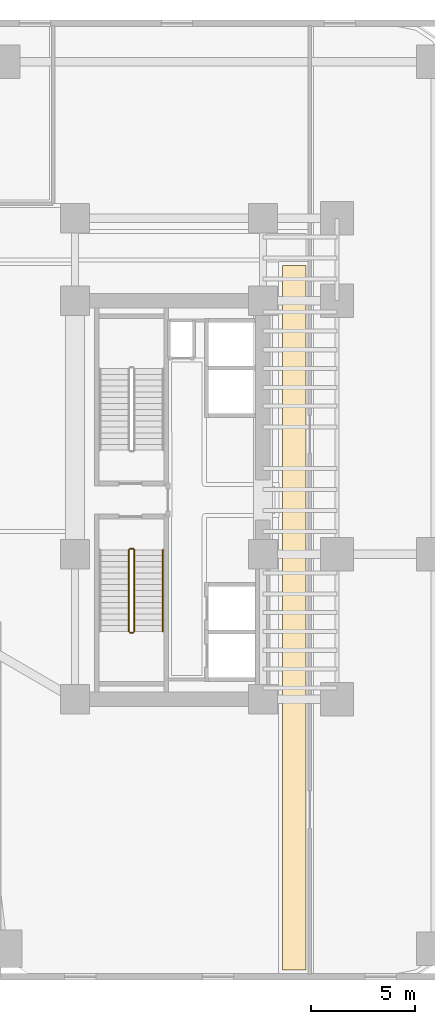
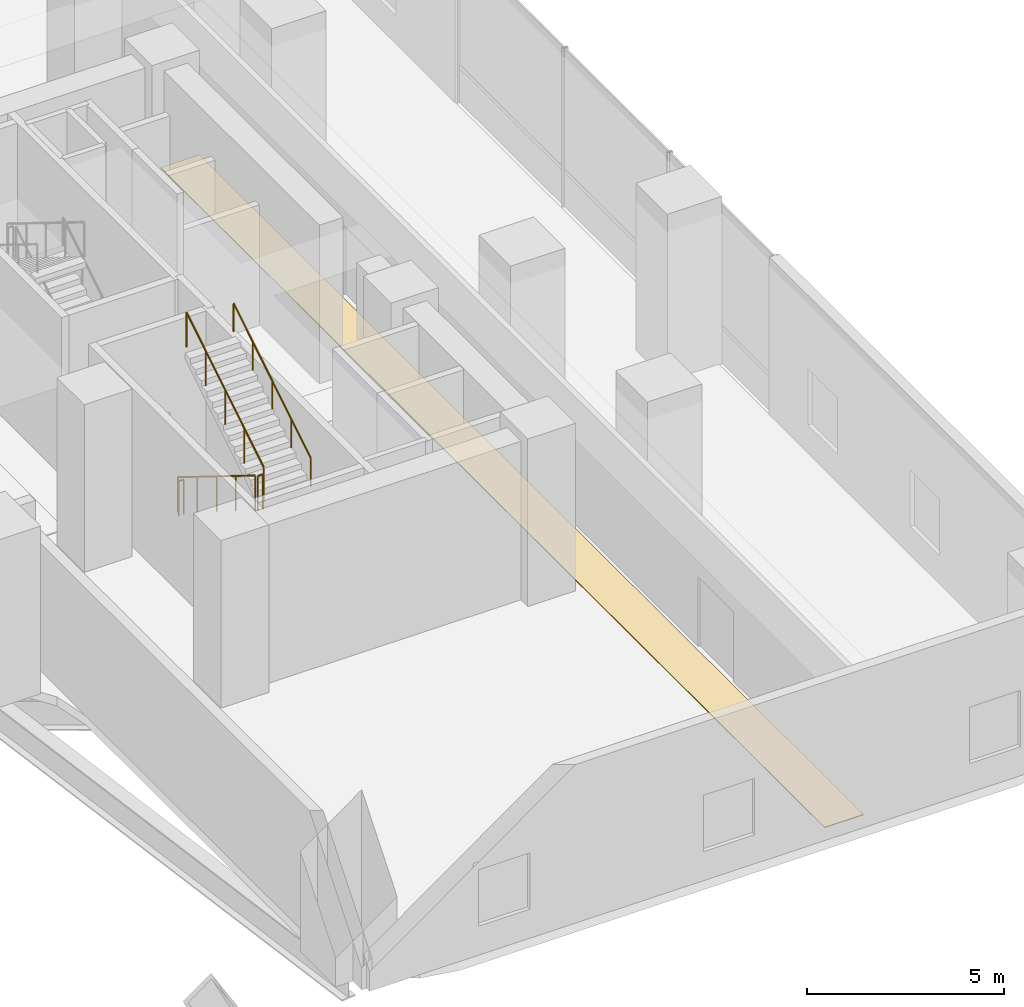
# One storey, part 35 of 39: 5 railings, 1 covering.
"""IFC4 building model written with IfcOpenShell, lengths in metres."""

from ifc_helpers import new_model, si_unit, direction, frame, origin, origin_2d, place, context, subcontext, project, spatial, polyline, circle, outline, extrude, material, layer, layer_set, type_object, element, save


model = new_model("IFC4")

# Units and contexts
model_context = context("Model", 3, precision=1e-05, world=origin(), true_north=direction((0.0, 1.0)))
body_context = subcontext(model_context, "Body", "Model", "MODEL_VIEW")
ifc_project = project(units=[si_unit("LENGTHUNIT", "METRE"), si_unit("AREAUNIT", "SQUARE_METRE"), si_unit("VOLUMEUNIT", "CUBIC_METRE"), si_unit("PLANEANGLEUNIT", "RADIAN"), si_unit("MASSUNIT", "GRAM", prefix="KILO")], contexts=[model_context])

# Site, building, storey
site_placement = place(None, origin())
site = spatial("IfcSite", under=ifc_project, at=site_placement, CompositionType="ELEMENT")
building_placement = place(site_placement, origin())
building = spatial("IfcBuilding", under=site, at=building_placement, Name="Valdorenza Pilgrim Sanctuary Tower", CompositionType="ELEMENT")
storey_placement = place(building_placement, frame((0.0, 0.0, 10.39990234375)))
storey = spatial("IfcBuildingStorey", under=building, at=storey_placement, Name="L02", CompositionType="ELEMENT", Elevation=10.39990234375)

# Covering
ifc_material_1 = material(Name="Honed travertine stone flooring", Category="masonry")
ifc_layer = layer(ifc_material_1, 0.030029296875, Name="Honed travertine stone flooring")
ifc_layer_set = layer_set([ifc_layer], Name="Honed travertine stone flooring")
covering_type = type_object("IfcCoveringType", Name="COV-FLR-TRV", PredefinedType="FLOORING", material=ifc_layer_set)
covering_placement = place(storey_placement, origin())
element("IfcCovering", 1, at=covering_placement, inside=storey, type_object=covering_type, Name="L02 L02 Podium East Corridor Flooring", PredefinedType="FLOORING", context=body_context, shape_type="SweptSolid", body=[
    extrude(outline(polyline([(25.780029296875, -22.52001953125), (25.780029296875, -0.846923828125), (25.780029296875, -0.8466796875), (25.780029296875, -0.8466796875), (25.78173828125, -0.8291015625), (25.78173828125, -0.828857421875), (25.781982421875, -0.820068359375), (25.781982421875, 0.820068359375), (25.780029296875, 11.238037109375), (26.91796875, 11.238037109375), (26.91796875, -22.52001953125), (25.780029296875, -22.52001953125)])), origin(), (0.0, 0.0, 1.0), 0.025146484375),
])

# Railings
ifc_material_2 = material(Name="Stainless steel Grade 316", Category="steel")
railing_type_1 = type_object("IfcRailingType", Name="RLG-GRD-1120", PredefinedType="GUARDRAIL", material=ifc_material_2)
railing_1_placement = place(storey_placement, frame((18.429931640625, -2.3798828125, 0.17333984375)))
element("IfcRailing", 2, at=railing_1_placement, inside=storey, type_object=railing_type_1, Name="L02 ST-B2 stair guard 1", PredefinedType="GUARDRAIL", context=body_context, shape_type="SweptSolid", body=[
    extrude(circle(Radius=0.02392578125, at=origin_2d()), frame((0.0, 0.0, 1.076171875), z_axis=(0.0, -0.850266275192, 0.526352791643), x_axis=(1.0, 0.0, 0.0)), (0.0, 0.0, 1.0), 4.610595703125),
    extrude(circle(Radius=0.02099609375, at=origin_2d()), origin(), (0.0, 0.0, 1.0), 1.052001953125),
    extrude(circle(Radius=0.02099609375, at=origin_2d()), frame((0.0, -0.97998046875, 0.606689453125)), (0.0, 0.0, 1.0), 1.052001953125),
    extrude(circle(Radius=0.02099609375, at=origin_2d()), frame((0.0, -1.9599609375, 1.21337890625)), (0.0, 0.0, 1.0), 1.052001953125),
    extrude(circle(Radius=0.02099609375, at=origin_2d()), frame((0.0, -2.940185546875, 1.820068359375)), (0.0, 0.0, 1.0), 1.052001953125),
    extrude(circle(Radius=0.02099609375, at=origin_2d()), frame((0.0, -3.920166015625, 2.4267578125)), (0.0, 0.0, 1.0), 1.052001953125),
])
railing_2_placement = place(storey_placement, frame((18.47998046875, -6.35009765625, 2.60009765625)))
element("IfcRailing", 3, at=railing_2_placement, inside=storey, type_object=railing_type_1, Name="L02 ST-B2 stair guard 2", PredefinedType="GUARDRAIL", context=body_context, shape_type="SweptSolid", body=[
    extrude(circle(Radius=0.02392578125, at=origin_2d()), frame((0.0, 0.0, 1.076171875), z_axis=(1.0, 0.0, 0.0), x_axis=(0.0, 1.0, 0.0)), (0.0, 0.0, 1.0), 0.14990234375),
    extrude(circle(Radius=0.02099609375, at=origin_2d()), origin(), (0.0, 0.0, 1.0), 1.052001953125),
    extrude(circle(Radius=0.02099609375, at=origin_2d()), frame((0.14990234375, 0.0, 0.0)), (0.0, 0.0, 1.0), 1.052001953125),
])
railing_3_placement = place(storey_placement, frame((18.679931640625, -6.300048828125, 2.7734375)))
element("IfcRailing", 4, at=railing_3_placement, inside=storey, type_object=railing_type_1, Name="L02 ST-B2 stair guard 3", PredefinedType="GUARDRAIL", context=body_context, shape_type="SweptSolid", body=[
    extrude(circle(Radius=0.02392578125, at=origin_2d()), frame((0.0, 0.0, 1.076171875), z_axis=(0.0, 0.850266275192, 0.526352791643), x_axis=(-1.0, 0.0, 0.0)), (0.0, 0.0, 1.0), 4.610595703125),
    extrude(circle(Radius=0.02099609375, at=origin_2d()), origin(), (0.0, 0.0, 1.0), 1.052001953125),
    extrude(circle(Radius=0.02099609375, at=origin_2d()), frame((0.0, 0.97998046875, 0.606689453125)), (0.0, 0.0, 1.0), 1.052001953125),
    extrude(circle(Radius=0.02099609375, at=origin_2d()), frame((0.0, 1.9599609375, 1.21337890625)), (0.0, 0.0, 1.0), 1.052001953125),
    extrude(circle(Radius=0.02099609375, at=origin_2d()), frame((0.0, 2.940185546875, 1.820068359375)), (0.0, 0.0, 1.0), 1.052001953125),
    extrude(circle(Radius=0.02099609375, at=origin_2d()), frame((0.0, 3.920166015625, 2.4267578125)), (0.0, 0.0, 1.0), 1.052001953125),
])
railing_4_placement = place(storey_placement, frame((18.47998046875, -2.330078125, 0.0)))
element("IfcRailing", 5, at=railing_4_placement, inside=storey, type_object=railing_type_1, Name="L02 ST-B2 stair guard 4", PredefinedType="GUARDRAIL", context=body_context, shape_type="SweptSolid", body=[
    extrude(circle(Radius=0.02392578125, at=origin_2d()), frame((0.0, 0.0, 1.076171875), z_axis=(1.0, 0.0, 0.0), x_axis=(0.0, 1.0, 0.0)), (0.0, 0.0, 1.0), 0.14990234375),
    extrude(circle(Radius=0.02099609375, at=origin_2d()), origin(), (0.0, 0.0, 1.0), 1.052001953125),
    extrude(circle(Radius=0.02099609375, at=origin_2d()), frame((0.14990234375, 0.0, 0.0)), (0.0, 0.0, 1.0), 1.052001953125),
])
ifc_material_3 = material(Name="Brushed stainless steel Grade 316", Category="steel")
railing_type_2 = type_object("IfcRailingType", Name="RLG-HND-920", PredefinedType="HANDRAIL", material=ifc_material_3)
railing_5_placement = place(storey_placement, frame((20.06005859375, -6.300048828125, 2.7734375)))
element("IfcRailing", 6, at=railing_5_placement, inside=storey, type_object=railing_type_2, Name="L02 ST-B2 stair handrail 2", PredefinedType="HANDRAIL", context=body_context, shape_type="SweptSolid", body=[
    extrude(circle(Radius=0.02392578125, at=origin_2d()), frame((0.0, 0.0, 0.8759765625), z_axis=(0.0, 0.850266275192, 0.526352791643), x_axis=(-1.0, 0.0, 0.0)), (0.0, 0.0, 1.0), 4.610595703125),
    extrude(circle(Radius=0.02099609375, at=origin_2d()), origin(), (0.0, 0.0, 1.0), 0.851806640625),
    extrude(circle(Radius=0.02099609375, at=origin_2d()), frame((0.0, 0.97998046875, 0.606689453125)), (0.0, 0.0, 1.0), 0.851806640625),
    extrude(circle(Radius=0.02099609375, at=origin_2d()), frame((0.0, 1.9599609375, 1.21337890625)), (0.0, 0.0, 1.0), 0.851806640625),
    extrude(circle(Radius=0.02099609375, at=origin_2d()), frame((0.0, 2.940185546875, 1.820068359375)), (0.0, 0.0, 1.0), 0.851806640625),
    extrude(circle(Radius=0.02099609375, at=origin_2d()), frame((0.0, 3.920166015625, 2.4267578125)), (0.0, 0.0, 1.0), 0.851806640625),
])

save(model, "model.ifc")
